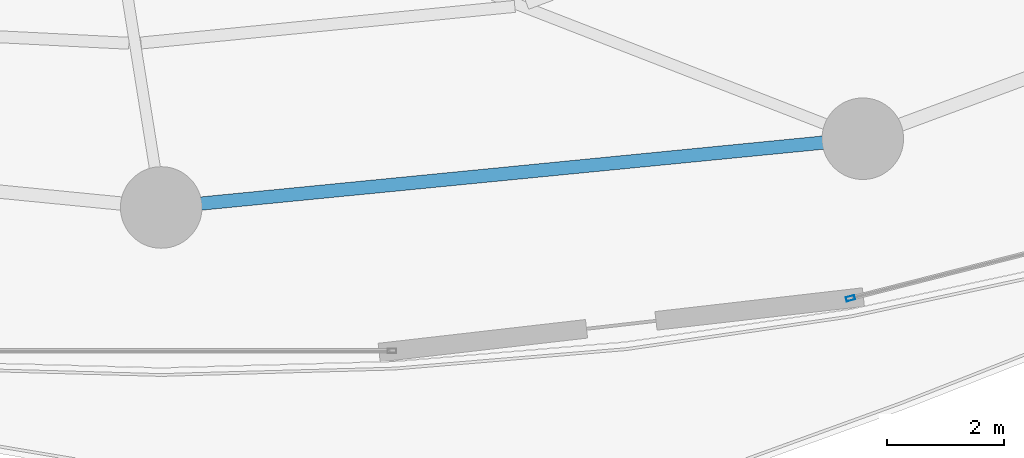
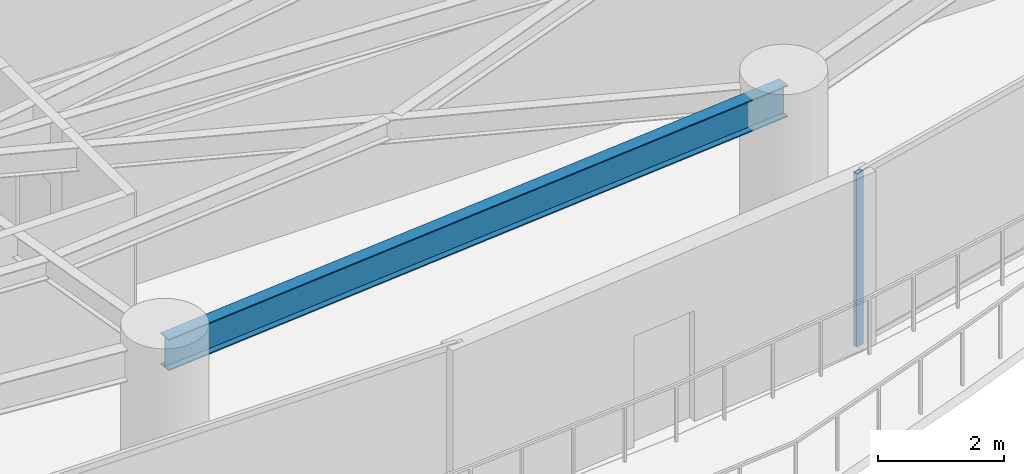
# One storey, part 11 of 34: 1 beam, 1 member, 1 element without a shape of its own.
"""IFC4 building model written with IfcOpenShell, lengths in metres."""

from ifc_helpers import new_model, si_unit, direction, frame, origin, origin_2d, place, context, subcontext, project, spatial, hollow_rectangle, i_section, extrude, material, layer, layer_set, material_profile, profile_set, type_object, element, aggregate, save


model = new_model("IFC4")

# Units and contexts
model_context = context("Model", 3, precision=1e-05, world=origin(), true_north=direction((0.0, 1.0)))
body_context = subcontext(model_context, "Body", "Model", "MODEL_VIEW")
ifc_project = project(units=[si_unit("LENGTHUNIT", "METRE"), si_unit("AREAUNIT", "SQUARE_METRE"), si_unit("VOLUMEUNIT", "CUBIC_METRE"), si_unit("PLANEANGLEUNIT", "RADIAN"), si_unit("MASSUNIT", "GRAM", prefix="KILO")], contexts=[model_context])

# Site, building, storey
site_placement = place(None, origin())
site = spatial("IfcSite", under=ifc_project, at=site_placement, CompositionType="ELEMENT")
building_placement = place(site_placement, origin())
building = spatial("IfcBuilding", under=site, at=building_placement, Name="Kazevale Care Tower and Concert Hall", CompositionType="ELEMENT")
storey_placement = place(building_placement, frame((0.0, 0.0, 67.199951171875)))
storey = spatial("IfcBuildingStorey", under=building, at=storey_placement, Name="L17", CompositionType="ELEMENT", Elevation=67.199951171875)

# Curtain wall, member
ifc_material_1 = material(Name="Aluminium 6063-T6 and Low-E Glass", Category="aluminium")
ifc_layer = layer(ifc_material_1, 0.179931640625)
ifc_layer_set = layer_set([ifc_layer], Name="Aluminium 6063-T6 and Low-E Glass")
curtain_wall_type = type_object("IfcCurtainWallType", Name="Sheltered Concave Balcony Curtain Wall CW-5", PredefinedType="NOTDEFINED", material=ifc_layer_set)
curtain_wall_placement = place(storey_placement, origin())
curtain_wall = element("IfcCurtainWall", 1, at=curtain_wall_placement, inside=storey, type_object=curtain_wall_type, Name="cw:L17:f04", PredefinedType="NOTDEFINED")
ifc_material_2 = material(Name="Aluminium 6063-T6", Category="aluminium")
ifc_material_profile_1 = material_profile(ifc_material_2, hollow_rectangle(XDim=0.074951171875, YDim=0.14990234375, WallThickness=0.00390625, at=origin_2d()), Name="ALU75x150x4")
ifc_profile_set_1 = profile_set([ifc_material_profile_1], Name="Aluminium 6063-T6")
member_type = type_object("IfcMemberType", Name="CW-5 Mullion ALU75x150x4", PredefinedType="MULLION", material=ifc_profile_set_1)
member_placement = place(storey_placement, frame((56.828369140625, 15.791259765625, 0.0), z_axis=(0.0, 0.0, 1.0), x_axis=(0.247221864936, -0.968958899798, 0.0)))
member = element("IfcMember", 2, at=member_placement, type_object=member_type, Name="CW-5 mullion 2", PredefinedType="MULLION", context=body_context, shape_type="SweptSolid", body=[
    extrude(hollow_rectangle(XDim=0.074951171875, YDim=0.14990234375, WallThickness=0.00390625, at=origin_2d()), origin(), (0.0, 0.0, 1.0), 3.360107421875),
])
aggregate(curtain_wall, [member])

# Beam
ifc_material_3 = material(Name="Steel ASTM A572 Gr 50", Category="steel")
ifc_material_profile_2 = material_profile(ifc_material_3, i_section(OverallWidth=0.22900390625, OverallDepth=0.612060546875, WebThickness=0.011962890625, FlangeThickness=0.01953125, at=origin_2d()), Name="W610x125")
ifc_profile_set_2 = profile_set([ifc_material_profile_2], Name="Steel ASTM A572 Gr 50")
beam_type = type_object("IfcBeamType", Name="Ring Spandrel Beam W610x125", PredefinedType="SPANDREL", material=ifc_profile_set_2)
beam_placement = place(storey_placement, frame((45.0, 17.35009765625, 3.053955078125), z_axis=(0.995232251602, 0.09753340644, 0.0), x_axis=(-0.09753340644, 0.995232251602, 0.0)))
element("IfcBeam", 3, at=beam_placement, inside=storey, type_object=beam_type, Name="beam:L17:ring:13", PredefinedType="SPANDREL", context=body_context, shape_type="SweptSolid", body=[
    extrude(i_section(OverallWidth=0.22900390625, OverallDepth=0.612060546875, WebThickness=0.011962890625, FlangeThickness=0.01953125, at=origin_2d()), origin(), (0.0, 0.0, 1.0), 12.09765625),
])

save(model, "model.ifc")
